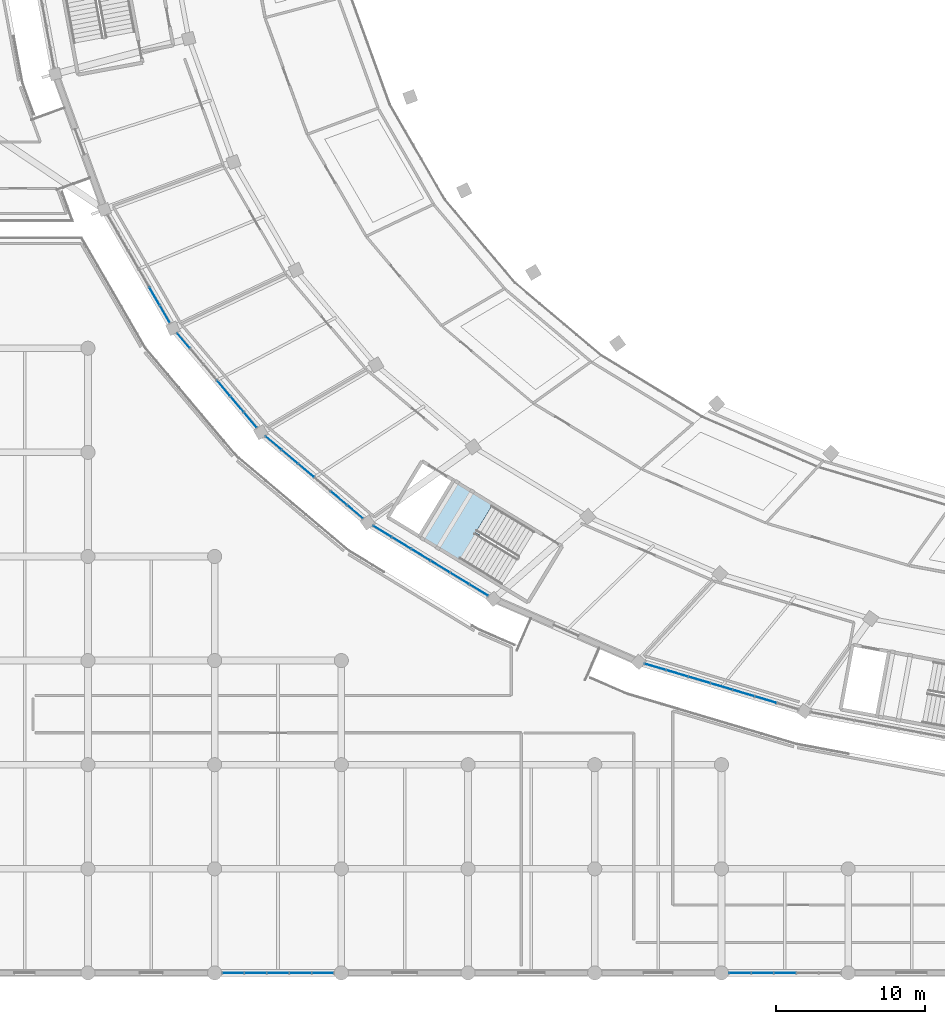
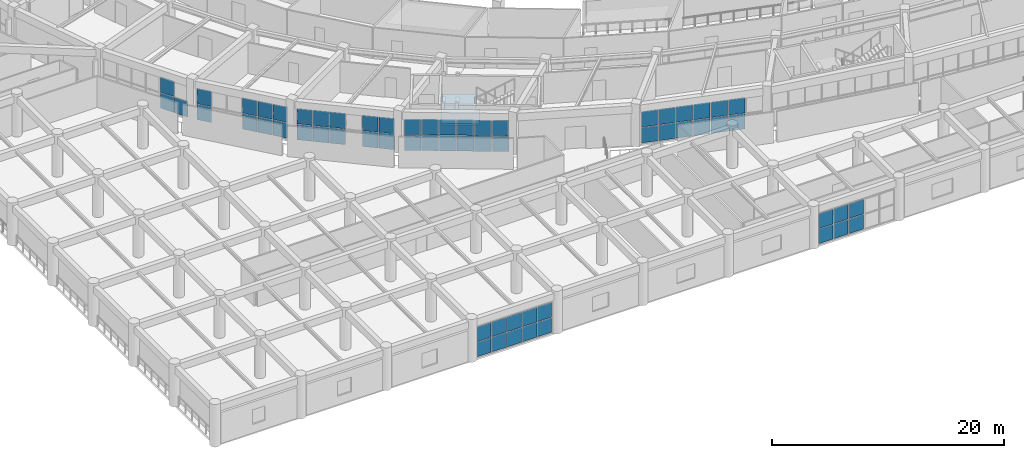
# One storey, part 71 of 141: 61 plates, 1 slab, 8 elements without a shape of their own.
"""IFC4 building model written with IfcOpenShell, lengths in metres."""

from ifc_helpers import new_model, si_unit, direction, frame, origin, origin_2d, place, context, subcontext, project, spatial, polyline, rectangle, outline, extrude, material, layer, layer_set, type_object, element, aggregate, save


model = new_model("IFC4")

# Units and contexts
model_context = context("Model", 3, precision=1e-05, world=origin(), true_north=direction((0.0, 1.0)))
body_context = subcontext(model_context, "Body", "Model", "MODEL_VIEW")
ifc_project = project(units=[si_unit("LENGTHUNIT", "METRE"), si_unit("AREAUNIT", "SQUARE_METRE"), si_unit("VOLUMEUNIT", "CUBIC_METRE"), si_unit("PLANEANGLEUNIT", "RADIAN"), si_unit("MASSUNIT", "GRAM", prefix="KILO")], contexts=[model_context])

# Site, building, storey
site_placement = place(None, origin())
site = spatial("IfcSite", under=ifc_project, at=site_placement, CompositionType="ELEMENT")
building_placement = place(site_placement, origin())
building = spatial("IfcBuilding", under=site, at=building_placement, Name="Mphavela Belvedere Stadium", CompositionType="ELEMENT")
storey_placement = place(building_placement, frame((0.0, 0.0, 14.699951171875)))
storey = spatial("IfcBuildingStorey", under=building, at=storey_placement, Name="L03", CompositionType="ELEMENT", Elevation=14.699951171875)

# Curtain wall, plates
ifc_material_1 = material(Name="Anodised bronze unitised curtain wall framing")
ifc_layer_1 = layer(ifc_material_1, 0.199951171875)
ifc_layer_set_1 = layer_set([ifc_layer_1], Name="Anodised bronze unitised curtain wall framing")
curtain_wall_type_1 = type_object("IfcCurtainWallType", Name="CW-UNIT-05", PredefinedType="USERDEFINED", material=ifc_layer_set_1)
curtain_wall_1_placement = place(storey_placement, origin())
curtain_wall_1 = element("IfcCurtainWall", 1, at=curtain_wall_1_placement, inside=storey, type_object=curtain_wall_type_1, Name="Belvedere colonnade curtain wall L03-28", ObjectType="UNITISED CURTAIN WALL", PredefinedType="USERDEFINED")
ifc_material_2 = material(Name="Solar-control double glazing", Category="glass")
ifc_layer_2 = layer(ifc_material_2, 0.031982421875)
ifc_layer_set_2 = layer_set([ifc_layer_2], Name="Solar-control double glazing")
plate_type = type_object("IfcPlateType", Name="CWP-SOLAR-GLASS", PredefinedType="CURTAIN_PANEL", material=ifc_layer_set_2)
plate_1_placement = place(storey_placement, frame((21.5107421875, 45.49462890625, 0.06005859375), z_axis=(0.0, 0.0, 1.0), x_axis=(0.50055409961, -0.865705257789, 0.0)))
plate_1 = element("IfcPlate", 2, at=plate_1_placement, type_object=plate_type, Name="CW-05 panel 5.1", PredefinedType="CURTAIN_PANEL", context=body_context, shape_type="SweptSolid", body=[
    extrude(rectangle(XDim=1.346923828125, YDim=0.031982421875, at=origin_2d()), origin(), (0.0, 0.0, 1.0), 1.6201171875),
])
plate_2_placement = place(storey_placement, frame((21.5107421875, 45.49462890625, 1.739990234375), z_axis=(0.0, 0.0, 1.0), x_axis=(0.50055409961, -0.865705257789, 0.0)))
plate_2 = element("IfcPlate", 3, at=plate_2_placement, type_object=plate_type, Name="CW-05 panel 5.2", PredefinedType="CURTAIN_PANEL", context=body_context, shape_type="SweptSolid", body=[
    extrude(rectangle(XDim=1.346923828125, YDim=0.031982421875, at=origin_2d()), origin(), (0.0, 0.0, 1.0), 1.6201171875),
])
plate_3_placement = place(storey_placement, frame((22.209228515625, 44.28662109375, 0.06005859375), z_axis=(0.0, 0.0, 1.0), x_axis=(0.50055409961, -0.865705257789, 0.0)))
plate_3 = element("IfcPlate", 4, at=plate_3_placement, type_object=plate_type, Name="CW-05 panel 6.1", PredefinedType="CURTAIN_PANEL", context=body_context, shape_type="SweptSolid", body=[
    extrude(rectangle(XDim=1.314453125, YDim=0.031982421875, at=origin_2d()), origin(), (0.0, 0.0, 1.0), 1.6201171875),
])
aggregate(curtain_wall_1, [plate_1, plate_2, plate_3])

ifc_material_3 = material(Name="Anodised bronze unitised curtain wall framing")
ifc_layer_3 = layer(ifc_material_3, 0.205078125)
ifc_layer_set_3 = layer_set([ifc_layer_3], Name="Anodised bronze unitised curtain wall framing")
curtain_wall_type_2 = type_object("IfcCurtainWallType", Name="CW-UNIT-06", PredefinedType="USERDEFINED", material=ifc_layer_set_3)
curtain_wall_2_placement = place(storey_placement, origin())
curtain_wall_2 = element("IfcCurtainWall", 5, at=curtain_wall_2_placement, inside=storey, type_object=curtain_wall_type_2, Name="Belvedere colonnade curtain wall L03-29", ObjectType="UNITISED CURTAIN WALL", PredefinedType="USERDEFINED")
plate_4_placement = place(storey_placement, frame((23.46044921875, 42.505859375, 0.06005859375), z_axis=(0.0, 0.0, 1.0), x_axis=(0.645179274532, -0.76403121907, 0.0)))
plate_4 = element("IfcPlate", 6, at=plate_4_placement, type_object=plate_type, Name="CW-06 panel 1.1", PredefinedType="CURTAIN_PANEL", context=body_context, shape_type="SweptSolid", body=[
    extrude(rectangle(XDim=1.303466796875, YDim=0.031982421875, at=origin_2d()), origin(), (0.0, 0.0, 1.0), 1.6201171875),
])
plate_5_placement = place(storey_placement, frame((23.46044921875, 42.505859375, 1.739990234375), z_axis=(0.0, 0.0, 1.0), x_axis=(0.645179274532, -0.76403121907, 0.0)))
plate_5 = element("IfcPlate", 7, at=plate_5_placement, type_object=plate_type, Name="CW-06 panel 1.2", PredefinedType="CURTAIN_PANEL", context=body_context, shape_type="SweptSolid", body=[
    extrude(rectangle(XDim=1.303466796875, YDim=0.031982421875, at=origin_2d()), origin(), (0.0, 0.0, 1.0), 1.6201171875),
])
plate_6_placement = place(storey_placement, frame((26.16162109375, 39.307373046875, 0.06005859375), z_axis=(0.0, 0.0, 1.0), x_axis=(0.645179274532, -0.76403121907, 0.0)))
plate_6 = element("IfcPlate", 8, at=plate_6_placement, type_object=plate_type, Name="CW-06 panel 4.1", PredefinedType="CURTAIN_PANEL", context=body_context, shape_type="SweptSolid", body=[
    extrude(rectangle(XDim=1.3359375, YDim=0.031982421875, at=origin_2d()), origin(), (0.0, 0.0, 1.0), 1.6201171875),
])
plate_7_placement = place(storey_placement, frame((26.16162109375, 39.307373046875, 1.739990234375), z_axis=(0.0, 0.0, 1.0), x_axis=(0.645179274532, -0.76403121907, 0.0)))
plate_7 = element("IfcPlate", 9, at=plate_7_placement, type_object=plate_type, Name="CW-06 panel 4.2", PredefinedType="CURTAIN_PANEL", context=body_context, shape_type="SweptSolid", body=[
    extrude(rectangle(XDim=1.3359375, YDim=0.031982421875, at=origin_2d()), origin(), (0.0, 0.0, 1.0), 1.6201171875),
])
plate_8_placement = place(storey_placement, frame((27.0654296875, 38.237060546875, 0.06005859375), z_axis=(0.0, 0.0, 1.0), x_axis=(0.645179274532, -0.76403121907, 0.0)))
plate_8 = element("IfcPlate", 10, at=plate_8_placement, type_object=plate_type, Name="CW-06 panel 5.1", PredefinedType="CURTAIN_PANEL", context=body_context, shape_type="SweptSolid", body=[
    extrude(rectangle(XDim=1.3359375, YDim=0.031982421875, at=origin_2d()), origin(), (0.0, 0.0, 1.0), 1.6201171875),
])
plate_9_placement = place(storey_placement, frame((27.0654296875, 38.237060546875, 1.739990234375), z_axis=(0.0, 0.0, 1.0), x_axis=(0.645179274532, -0.76403121907, 0.0)))
plate_9 = element("IfcPlate", 11, at=plate_9_placement, type_object=plate_type, Name="CW-06 panel 5.2", PredefinedType="CURTAIN_PANEL", context=body_context, shape_type="SweptSolid", body=[
    extrude(rectangle(XDim=1.3359375, YDim=0.031982421875, at=origin_2d()), origin(), (0.0, 0.0, 1.0), 1.6201171875),
])
plate_10_placement = place(storey_placement, frame((27.958740234375, 37.17919921875, 0.06005859375), z_axis=(0.0, 0.0, 1.0), x_axis=(0.645179274532, -0.76403121907, 0.0)))
plate_10 = element("IfcPlate", 12, at=plate_10_placement, type_object=plate_type, Name="CW-06 panel 6.1", PredefinedType="CURTAIN_PANEL", context=body_context, shape_type="SweptSolid", body=[
    extrude(rectangle(XDim=1.303466796875, YDim=0.031982421875, at=origin_2d()), origin(), (0.0, 0.0, 1.0), 1.6201171875),
])
plate_11_placement = place(storey_placement, frame((27.958740234375, 37.17919921875, 1.739990234375), z_axis=(0.0, 0.0, 1.0), x_axis=(0.645179274532, -0.76403121907, 0.0)))
plate_11 = element("IfcPlate", 13, at=plate_11_placement, type_object=plate_type, Name="CW-06 panel 6.2", PredefinedType="CURTAIN_PANEL", context=body_context, shape_type="SweptSolid", body=[
    extrude(rectangle(XDim=1.303466796875, YDim=0.031982421875, at=origin_2d()), origin(), (0.0, 0.0, 1.0), 1.6201171875),
])
aggregate(curtain_wall_2, [plate_4, plate_5, plate_6, plate_7, plate_8, plate_9, plate_10, plate_11])

ifc_material_4 = material(Name="Anodised bronze unitised curtain wall framing")
ifc_layer_4 = layer(ifc_material_4, 0.179931640625)
ifc_layer_set_4 = layer_set([ifc_layer_4], Name="Anodised bronze unitised curtain wall framing")
curtain_wall_type_3 = type_object("IfcCurtainWallType", Name="CW-UNIT-01", PredefinedType="USERDEFINED", material=ifc_layer_set_4)
curtain_wall_3_placement = place(storey_placement, origin())
curtain_wall_3 = element("IfcCurtainWall", 14, at=curtain_wall_3_placement, inside=storey, type_object=curtain_wall_type_3, Name="Belvedere colonnade curtain wall L03-30", ObjectType="UNITISED CURTAIN WALL", PredefinedType="USERDEFINED")
plate_12_placement = place(storey_placement, frame((29.51025390625, 35.63037109375, 0.06005859375), z_axis=(0.0, 0.0, 1.0), x_axis=(0.764262822183, -0.644904906656, 0.0)))
plate_12 = element("IfcPlate", 15, at=plate_12_placement, type_object=plate_type, Name="CW-01 panel 1.1", PredefinedType="CURTAIN_PANEL", context=body_context, shape_type="SweptSolid", body=[
    extrude(rectangle(XDim=1.344482421875, YDim=0.031982421875, at=origin_2d()), origin(), (0.0, 0.0, 1.0), 1.6201171875),
])
plate_13_placement = place(storey_placement, frame((29.51025390625, 35.63037109375, 1.739990234375), z_axis=(0.0, 0.0, 1.0), x_axis=(0.764262822183, -0.644904906656, 0.0)))
plate_13 = element("IfcPlate", 16, at=plate_13_placement, type_object=plate_type, Name="CW-01 panel 1.2", PredefinedType="CURTAIN_PANEL", context=body_context, shape_type="SweptSolid", body=[
    extrude(rectangle(XDim=1.344482421875, YDim=0.031982421875, at=origin_2d()), origin(), (0.0, 0.0, 1.0), 1.6201171875),
])
plate_14_placement = place(storey_placement, frame((30.599853515625, 34.7109375, 0.06005859375), z_axis=(0.0, 0.0, 1.0), x_axis=(0.764262822183, -0.644904906656, 0.0)))
plate_14 = element("IfcPlate", 17, at=plate_14_placement, type_object=plate_type, Name="CW-01 panel 2.1", PredefinedType="CURTAIN_PANEL", context=body_context, shape_type="SweptSolid", body=[
    extrude(rectangle(XDim=1.376953125, YDim=0.031982421875, at=origin_2d()), origin(), (0.0, 0.0, 1.0), 1.6201171875),
])
plate_15_placement = place(storey_placement, frame((30.599853515625, 34.7109375, 1.739990234375), z_axis=(0.0, 0.0, 1.0), x_axis=(0.764262822183, -0.644904906656, 0.0)))
plate_15 = element("IfcPlate", 18, at=plate_15_placement, type_object=plate_type, Name="CW-01 panel 2.2", PredefinedType="CURTAIN_PANEL", context=body_context, shape_type="SweptSolid", body=[
    extrude(rectangle(XDim=1.376953125, YDim=0.031982421875, at=origin_2d()), origin(), (0.0, 0.0, 1.0), 1.6201171875),
])
plate_16_placement = place(storey_placement, frame((31.701904296875, 33.781005859375, 0.06005859375), z_axis=(0.0, 0.0, 1.0), x_axis=(0.764262822183, -0.644904906656, 0.0)))
plate_16 = element("IfcPlate", 19, at=plate_16_placement, type_object=plate_type, Name="CW-01 panel 3.1", PredefinedType="CURTAIN_PANEL", context=body_context, shape_type="SweptSolid", body=[
    extrude(rectangle(XDim=1.376953125, YDim=0.031982421875, at=origin_2d()), origin(), (0.0, 0.0, 1.0), 1.6201171875),
])
plate_17_placement = place(storey_placement, frame((31.701904296875, 33.781005859375, 1.739990234375), z_axis=(0.0, 0.0, 1.0), x_axis=(0.764262822183, -0.644904906656, 0.0)))
plate_17 = element("IfcPlate", 20, at=plate_17_placement, type_object=plate_type, Name="CW-01 panel 3.2", PredefinedType="CURTAIN_PANEL", context=body_context, shape_type="SweptSolid", body=[
    extrude(rectangle(XDim=1.376953125, YDim=0.031982421875, at=origin_2d()), origin(), (0.0, 0.0, 1.0), 1.6201171875),
])
plate_18_placement = place(storey_placement, frame((33.90625, 31.921142578125, 0.06005859375), z_axis=(0.0, 0.0, 1.0), x_axis=(0.764262822183, -0.644904906656, 0.0)))
plate_18 = element("IfcPlate", 21, at=plate_18_placement, type_object=plate_type, Name="CW-01 panel 5.1", PredefinedType="CURTAIN_PANEL", context=body_context, shape_type="SweptSolid", body=[
    extrude(rectangle(XDim=1.376953125, YDim=0.031982421875, at=origin_2d()), origin(), (0.0, 0.0, 1.0), 1.6201171875),
])
plate_19_placement = place(storey_placement, frame((33.90625, 31.921142578125, 1.739990234375), z_axis=(0.0, 0.0, 1.0), x_axis=(0.764262822183, -0.644904906656, 0.0)))
plate_19 = element("IfcPlate", 22, at=plate_19_placement, type_object=plate_type, Name="CW-01 panel 5.2", PredefinedType="CURTAIN_PANEL", context=body_context, shape_type="SweptSolid", body=[
    extrude(rectangle(XDim=1.376953125, YDim=0.031982421875, at=origin_2d()), origin(), (0.0, 0.0, 1.0), 1.6201171875),
])
plate_20_placement = place(storey_placement, frame((34.995849609375, 31.00146484375, 0.06005859375), z_axis=(0.0, 0.0, 1.0), x_axis=(0.764262822183, -0.644904906656, 0.0)))
plate_20 = element("IfcPlate", 23, at=plate_20_placement, type_object=plate_type, Name="CW-01 panel 6.1", PredefinedType="CURTAIN_PANEL", context=body_context, shape_type="SweptSolid", body=[
    extrude(rectangle(XDim=1.344482421875, YDim=0.031982421875, at=origin_2d()), origin(), (0.0, 0.0, 1.0), 1.6201171875),
])
plate_21_placement = place(storey_placement, frame((34.995849609375, 31.00146484375, 1.739990234375), z_axis=(0.0, 0.0, 1.0), x_axis=(0.764262822183, -0.644904906656, 0.0)))
plate_21 = element("IfcPlate", 24, at=plate_21_placement, type_object=plate_type, Name="CW-01 panel 6.2", PredefinedType="CURTAIN_PANEL", context=body_context, shape_type="SweptSolid", body=[
    extrude(rectangle(XDim=1.344482421875, YDim=0.031982421875, at=origin_2d()), origin(), (0.0, 0.0, 1.0), 1.6201171875),
])
aggregate(curtain_wall_3, [plate_12, plate_13, plate_14, plate_15, plate_16, plate_17, plate_18, plate_19, plate_20, plate_21])

ifc_material_5 = material(Name="Anodised bronze unitised curtain wall framing")
ifc_layer_5 = layer(ifc_material_5, 0.18505859375)
ifc_layer_set_5 = layer_set([ifc_layer_5], Name="Anodised bronze unitised curtain wall framing")
curtain_wall_type_4 = type_object("IfcCurtainWallType", Name="CW-UNIT-02", PredefinedType="USERDEFINED", material=ifc_layer_set_5)
curtain_wall_4_placement = place(storey_placement, origin())
curtain_wall_4 = element("IfcCurtainWall", 25, at=curtain_wall_4_placement, inside=storey, type_object=curtain_wall_type_4, Name="Belvedere colonnade curtain wall L03-31", ObjectType="UNITISED CURTAIN WALL", PredefinedType="USERDEFINED")
plate_22_placement = place(storey_placement, frame((36.828857421875, 29.6865234375, 0.06005859375), z_axis=(0.0, 0.0, 1.0), x_axis=(0.8543254975, -0.519738342169, 0.0)))
plate_22 = element("IfcPlate", 26, at=plate_22_placement, type_object=plate_type, Name="CW-02 panel 1.1", PredefinedType="CURTAIN_PANEL", context=body_context, shape_type="SweptSolid", body=[
    extrude(rectangle(XDim=1.428466796875, YDim=0.031982421875, at=origin_2d()), origin(), (0.0, 0.0, 1.0), 1.6201171875),
])
plate_23_placement = place(storey_placement, frame((36.828857421875, 29.6865234375, 1.739990234375), z_axis=(0.0, 0.0, 1.0), x_axis=(0.8543254975, -0.519738342169, 0.0)))
plate_23 = element("IfcPlate", 27, at=plate_23_placement, type_object=plate_type, Name="CW-02 panel 1.2", PredefinedType="CURTAIN_PANEL", context=body_context, shape_type="SweptSolid", body=[
    extrude(rectangle(XDim=1.428466796875, YDim=0.031982421875, at=origin_2d()), origin(), (0.0, 0.0, 1.0), 1.6201171875),
])
plate_24_placement = place(storey_placement, frame((38.11865234375, 28.90185546875, 0.06005859375), z_axis=(0.0, 0.0, 1.0), x_axis=(0.8543254975, -0.519738342169, 0.0)))
plate_24 = element("IfcPlate", 28, at=plate_24_placement, type_object=plate_type, Name="CW-02 panel 2.1", PredefinedType="CURTAIN_PANEL", context=body_context, shape_type="SweptSolid", body=[
    extrude(rectangle(XDim=1.4609375, YDim=0.031982421875, at=origin_2d()), origin(), (0.0, 0.0, 1.0), 1.6201171875),
])
plate_25_placement = place(storey_placement, frame((38.11865234375, 28.90185546875, 1.739990234375), z_axis=(0.0, 0.0, 1.0), x_axis=(0.8543254975, -0.519738342169, 0.0)))
plate_25 = element("IfcPlate", 29, at=plate_25_placement, type_object=plate_type, Name="CW-02 panel 2.2", PredefinedType="CURTAIN_PANEL", context=body_context, shape_type="SweptSolid", body=[
    extrude(rectangle(XDim=1.4609375, YDim=0.031982421875, at=origin_2d()), origin(), (0.0, 0.0, 1.0), 1.6201171875),
])
plate_26_placement = place(storey_placement, frame((39.42236328125, 28.10888671875, 0.06005859375), z_axis=(0.0, 0.0, 1.0), x_axis=(0.8543254975, -0.519738342169, 0.0)))
plate_26 = element("IfcPlate", 30, at=plate_26_placement, type_object=plate_type, Name="CW-02 panel 3.1", PredefinedType="CURTAIN_PANEL", context=body_context, shape_type="SweptSolid", body=[
    extrude(rectangle(XDim=1.4609375, YDim=0.031982421875, at=origin_2d()), origin(), (0.0, 0.0, 1.0), 1.6201171875),
])
plate_27_placement = place(storey_placement, frame((39.42236328125, 28.10888671875, 1.739990234375), z_axis=(0.0, 0.0, 1.0), x_axis=(0.8543254975, -0.519738342169, 0.0)))
plate_27 = element("IfcPlate", 31, at=plate_27_placement, type_object=plate_type, Name="CW-02 panel 3.2", PredefinedType="CURTAIN_PANEL", context=body_context, shape_type="SweptSolid", body=[
    extrude(rectangle(XDim=1.4609375, YDim=0.031982421875, at=origin_2d()), origin(), (0.0, 0.0, 1.0), 1.6201171875),
])
plate_28_placement = place(storey_placement, frame((40.725830078125, 27.315673828125, 0.06005859375), z_axis=(0.0, 0.0, 1.0), x_axis=(0.8543254975, -0.519738342169, 0.0)))
plate_28 = element("IfcPlate", 32, at=plate_28_placement, type_object=plate_type, Name="CW-02 panel 4.1", PredefinedType="CURTAIN_PANEL", context=body_context, shape_type="SweptSolid", body=[
    extrude(rectangle(XDim=1.4609375, YDim=0.031982421875, at=origin_2d()), origin(), (0.0, 0.0, 1.0), 1.6201171875),
])
plate_29_placement = place(storey_placement, frame((40.725830078125, 27.315673828125, 1.739990234375), z_axis=(0.0, 0.0, 1.0), x_axis=(0.8543254975, -0.519738342169, 0.0)))
plate_29 = element("IfcPlate", 33, at=plate_29_placement, type_object=plate_type, Name="CW-02 panel 4.2", PredefinedType="CURTAIN_PANEL", context=body_context, shape_type="SweptSolid", body=[
    extrude(rectangle(XDim=1.4609375, YDim=0.031982421875, at=origin_2d()), origin(), (0.0, 0.0, 1.0), 1.6201171875),
])
plate_30_placement = place(storey_placement, frame((42.029541015625, 26.522705078125, 0.06005859375), z_axis=(0.0, 0.0, 1.0), x_axis=(0.8543254975, -0.519738342169, 0.0)))
plate_30 = element("IfcPlate", 34, at=plate_30_placement, type_object=plate_type, Name="CW-02 panel 5.1", PredefinedType="CURTAIN_PANEL", context=body_context, shape_type="SweptSolid", body=[
    extrude(rectangle(XDim=1.4609375, YDim=0.031982421875, at=origin_2d()), origin(), (0.0, 0.0, 1.0), 1.6201171875),
])
plate_31_placement = place(storey_placement, frame((42.029541015625, 26.522705078125, 1.739990234375), z_axis=(0.0, 0.0, 1.0), x_axis=(0.8543254975, -0.519738342169, 0.0)))
plate_31 = element("IfcPlate", 35, at=plate_31_placement, type_object=plate_type, Name="CW-02 panel 5.2", PredefinedType="CURTAIN_PANEL", context=body_context, shape_type="SweptSolid", body=[
    extrude(rectangle(XDim=1.4609375, YDim=0.031982421875, at=origin_2d()), origin(), (0.0, 0.0, 1.0), 1.6201171875),
])
plate_32_placement = place(storey_placement, frame((43.3193359375, 25.738037109375, 0.06005859375), z_axis=(0.0, 0.0, 1.0), x_axis=(0.8543254975, -0.519738342169, 0.0)))
plate_32 = element("IfcPlate", 36, at=plate_32_placement, type_object=plate_type, Name="CW-02 panel 6.1", PredefinedType="CURTAIN_PANEL", context=body_context, shape_type="SweptSolid", body=[
    extrude(rectangle(XDim=1.428466796875, YDim=0.031982421875, at=origin_2d()), origin(), (0.0, 0.0, 1.0), 1.6201171875),
])
plate_33_placement = place(storey_placement, frame((43.3193359375, 25.738037109375, 1.739990234375), z_axis=(0.0, 0.0, 1.0), x_axis=(0.8543254975, -0.519738342169, 0.0)))
plate_33 = element("IfcPlate", 37, at=plate_33_placement, type_object=plate_type, Name="CW-02 panel 6.2", PredefinedType="CURTAIN_PANEL", context=body_context, shape_type="SweptSolid", body=[
    extrude(rectangle(XDim=1.428466796875, YDim=0.031982421875, at=origin_2d()), origin(), (0.0, 0.0, 1.0), 1.6201171875),
])
aggregate(curtain_wall_4, [plate_22, plate_23, plate_24, plate_25, plate_26, plate_27, plate_28, plate_29, plate_30, plate_31, plate_32, plate_33])

ifc_material_6 = material(Name="Anodised bronze unitised curtain wall framing")
ifc_layer_6 = layer(ifc_material_6, 0.18994140625)
ifc_layer_set_6 = layer_set([ifc_layer_6], Name="Anodised bronze unitised curtain wall framing")
curtain_wall_type_5 = type_object("IfcCurtainWallType", Name="CW-UNIT-03", PredefinedType="USERDEFINED", material=ifc_layer_set_6)
curtain_wall_5_placement = place(storey_placement, origin())
curtain_wall_5 = element("IfcCurtainWall", 38, at=curtain_wall_5_placement, inside=storey, type_object=curtain_wall_type_5, Name="Belvedere colonnade curtain wall L03-33", ObjectType="UNITISED CURTAIN WALL", PredefinedType="USERDEFINED")
plate_34_placement = place(storey_placement, frame((55.179931640625, 20.576904296875, 0.06005859375), z_axis=(0.0, 0.0, 1.0), x_axis=(0.958656747975, -0.284565000591, 0.0)))
plate_34 = element("IfcPlate", 39, at=plate_34_placement, type_object=plate_type, Name="CW-03 panel 1.1", PredefinedType="CURTAIN_PANEL", context=body_context, shape_type="SweptSolid", body=[
    extrude(rectangle(XDim=1.45556640625, YDim=0.031982421875, at=origin_2d()), origin(), (0.0, 0.0, 1.0), 1.6201171875),
])
plate_35_placement = place(storey_placement, frame((55.179931640625, 20.576904296875, 1.739990234375), z_axis=(0.0, 0.0, 1.0), x_axis=(0.958656747975, -0.284565000591, 0.0)))
plate_35 = element("IfcPlate", 40, at=plate_35_placement, type_object=plate_type, Name="CW-03 panel 1.2", PredefinedType="CURTAIN_PANEL", context=body_context, shape_type="SweptSolid", body=[
    extrude(rectangle(XDim=1.45556640625, YDim=0.031982421875, at=origin_2d()), origin(), (0.0, 0.0, 1.0), 1.6201171875),
])
plate_36_placement = place(storey_placement, frame((56.653076171875, 20.1396484375, 0.06005859375), z_axis=(0.0, 0.0, 1.0), x_axis=(0.958656747975, -0.284565000591, 0.0)))
plate_36 = element("IfcPlate", 41, at=plate_36_placement, type_object=plate_type, Name="CW-03 panel 2.1", PredefinedType="CURTAIN_PANEL", context=body_context, shape_type="SweptSolid", body=[
    extrude(rectangle(XDim=1.488037109375, YDim=0.031982421875, at=origin_2d()), origin(), (0.0, 0.0, 1.0), 1.6201171875),
])
plate_37_placement = place(storey_placement, frame((56.653076171875, 20.1396484375, 1.739990234375), z_axis=(0.0, 0.0, 1.0), x_axis=(0.958656747975, -0.284565000591, 0.0)))
plate_37 = element("IfcPlate", 42, at=plate_37_placement, type_object=plate_type, Name="CW-03 panel 2.2", PredefinedType="CURTAIN_PANEL", context=body_context, shape_type="SweptSolid", body=[
    extrude(rectangle(XDim=1.488037109375, YDim=0.031982421875, at=origin_2d()), origin(), (0.0, 0.0, 1.0), 1.6201171875),
])
plate_38_placement = place(storey_placement, frame((58.141845703125, 19.69775390625, 0.06005859375), z_axis=(0.0, 0.0, 1.0), x_axis=(0.958656747975, -0.284565000591, 0.0)))
plate_38 = element("IfcPlate", 43, at=plate_38_placement, type_object=plate_type, Name="CW-03 panel 3.1", PredefinedType="CURTAIN_PANEL", context=body_context, shape_type="SweptSolid", body=[
    extrude(rectangle(XDim=1.488037109375, YDim=0.031982421875, at=origin_2d()), origin(), (0.0, 0.0, 1.0), 1.6201171875),
])
plate_39_placement = place(storey_placement, frame((58.141845703125, 19.69775390625, 1.739990234375), z_axis=(0.0, 0.0, 1.0), x_axis=(0.958656747975, -0.284565000591, 0.0)))
plate_39 = element("IfcPlate", 44, at=plate_39_placement, type_object=plate_type, Name="CW-03 panel 3.2", PredefinedType="CURTAIN_PANEL", context=body_context, shape_type="SweptSolid", body=[
    extrude(rectangle(XDim=1.488037109375, YDim=0.031982421875, at=origin_2d()), origin(), (0.0, 0.0, 1.0), 1.6201171875),
])
plate_40_placement = place(storey_placement, frame((59.630615234375, 19.255859375, 0.06005859375), z_axis=(0.0, 0.0, 1.0), x_axis=(0.958656747975, -0.284565000591, 0.0)))
plate_40 = element("IfcPlate", 45, at=plate_40_placement, type_object=plate_type, Name="CW-03 panel 4.1", PredefinedType="CURTAIN_PANEL", context=body_context, shape_type="SweptSolid", body=[
    extrude(rectangle(XDim=1.488037109375, YDim=0.031982421875, at=origin_2d()), origin(), (0.0, 0.0, 1.0), 1.6201171875),
])
plate_41_placement = place(storey_placement, frame((59.630615234375, 19.255859375, 1.739990234375), z_axis=(0.0, 0.0, 1.0), x_axis=(0.958656747975, -0.284565000591, 0.0)))
plate_41 = element("IfcPlate", 46, at=plate_41_placement, type_object=plate_type, Name="CW-03 panel 4.2", PredefinedType="CURTAIN_PANEL", context=body_context, shape_type="SweptSolid", body=[
    extrude(rectangle(XDim=1.488037109375, YDim=0.031982421875, at=origin_2d()), origin(), (0.0, 0.0, 1.0), 1.6201171875),
])
plate_42_placement = place(storey_placement, frame((61.119384765625, 18.81396484375, 0.06005859375), z_axis=(0.0, 0.0, 1.0), x_axis=(0.958656747975, -0.284565000591, 0.0)))
plate_42 = element("IfcPlate", 47, at=plate_42_placement, type_object=plate_type, Name="CW-03 panel 5.1", PredefinedType="CURTAIN_PANEL", context=body_context, shape_type="SweptSolid", body=[
    extrude(rectangle(XDim=1.488037109375, YDim=0.031982421875, at=origin_2d()), origin(), (0.0, 0.0, 1.0), 1.6201171875),
])
plate_43_placement = place(storey_placement, frame((61.119384765625, 18.81396484375, 1.739990234375), z_axis=(0.0, 0.0, 1.0), x_axis=(0.958656747975, -0.284565000591, 0.0)))
plate_43 = element("IfcPlate", 48, at=plate_43_placement, type_object=plate_type, Name="CW-03 panel 5.2", PredefinedType="CURTAIN_PANEL", context=body_context, shape_type="SweptSolid", body=[
    extrude(rectangle(XDim=1.488037109375, YDim=0.031982421875, at=origin_2d()), origin(), (0.0, 0.0, 1.0), 1.6201171875),
])
plate_44_placement = place(storey_placement, frame((62.608154296875, 18.3720703125, 0.06005859375), z_axis=(0.0, 0.0, 1.0), x_axis=(0.958656747975, -0.284565000591, 0.0)))
plate_44 = element("IfcPlate", 49, at=plate_44_placement, type_object=plate_type, Name="CW-03 panel 6.1", PredefinedType="CURTAIN_PANEL", context=body_context, shape_type="SweptSolid", body=[
    extrude(rectangle(XDim=1.488037109375, YDim=0.031982421875, at=origin_2d()), origin(), (0.0, 0.0, 1.0), 1.6201171875),
])
plate_45_placement = place(storey_placement, frame((62.608154296875, 18.3720703125, 1.739990234375), z_axis=(0.0, 0.0, 1.0), x_axis=(0.958656747975, -0.284565000591, 0.0)))
plate_45 = element("IfcPlate", 50, at=plate_45_placement, type_object=plate_type, Name="CW-03 panel 6.2", PredefinedType="CURTAIN_PANEL", context=body_context, shape_type="SweptSolid", body=[
    extrude(rectangle(XDim=1.488037109375, YDim=0.031982421875, at=origin_2d()), origin(), (0.0, 0.0, 1.0), 1.6201171875),
])
aggregate(curtain_wall_5, [plate_34, plate_35, plate_36, plate_37, plate_38, plate_39, plate_40, plate_41, plate_42, plate_43, plate_44, plate_45])

curtain_wall_6_placement = place(storey_placement, origin())
curtain_wall_6 = element("IfcCurtainWall", 51, at=curtain_wall_6_placement, inside=storey, type_object=curtain_wall_type_1, Name="South Axial Triumphal Peristyle Portico gallery curtain wall L03-04", ObjectType="UNITISED CURTAIN WALL", PredefinedType="USERDEFINED")
plate_46_placement = place(storey_placement, frame((32.82763671875, 0.0, 0.06005859375), z_axis=(0.0, 0.0, 1.0), x_axis=(-1.0, 0.0, 0.0)))
plate_46 = element("IfcPlate", 52, at=plate_46_placement, type_object=plate_type, Name="CW-05 panel 1.1", PredefinedType="CURTAIN_PANEL", context=body_context, shape_type="SweptSolid", body=[
    extrude(rectangle(XDim=1.4169921875, YDim=0.031982421875, at=origin_2d()), origin(), (0.0, 0.0, 1.0), 1.5400390625),
])
plate_47_placement = place(storey_placement, frame((32.82763671875, 0.0, 1.659912109375), z_axis=(0.0, 0.0, 1.0), x_axis=(-1.0, 0.0, 0.0)))
plate_47 = element("IfcPlate", 53, at=plate_47_placement, type_object=plate_type, Name="CW-05 panel 1.2", PredefinedType="CURTAIN_PANEL", context=body_context, shape_type="SweptSolid", body=[
    extrude(rectangle(XDim=1.4169921875, YDim=0.031982421875, at=origin_2d()), origin(), (0.0, 0.0, 1.0), 1.5400390625),
])
plate_48_placement = place(storey_placement, frame((31.329345703125, 0.0, 0.06005859375), z_axis=(0.0, 0.0, 1.0), x_axis=(-1.0, 0.0, 0.0)))
plate_48 = element("IfcPlate", 54, at=plate_48_placement, type_object=plate_type, Name="CW-05 panel 2.1", PredefinedType="CURTAIN_PANEL", context=body_context, shape_type="SweptSolid", body=[
    extrude(rectangle(XDim=1.449462890625, YDim=0.031982421875, at=origin_2d()), origin(), (0.0, 0.0, 1.0), 1.5400390625),
])
plate_49_placement = place(storey_placement, frame((31.329345703125, 0.0, 1.659912109375), z_axis=(0.0, 0.0, 1.0), x_axis=(-1.0, 0.0, 0.0)))
plate_49 = element("IfcPlate", 55, at=plate_49_placement, type_object=plate_type, Name="CW-05 panel 2.2", PredefinedType="CURTAIN_PANEL", context=body_context, shape_type="SweptSolid", body=[
    extrude(rectangle(XDim=1.449462890625, YDim=0.031982421875, at=origin_2d()), origin(), (0.0, 0.0, 1.0), 1.5400390625),
])
plate_50_placement = place(storey_placement, frame((29.81494140625, 0.0, 0.06005859375), z_axis=(0.0, 0.0, 1.0), x_axis=(-1.0, 0.0, 0.0)))
plate_50 = element("IfcPlate", 56, at=plate_50_placement, type_object=plate_type, Name="CW-05 panel 3.1", PredefinedType="CURTAIN_PANEL", context=body_context, shape_type="SweptSolid", body=[
    extrude(rectangle(XDim=1.449462890625, YDim=0.031982421875, at=origin_2d()), origin(), (0.0, 0.0, 1.0), 1.5400390625),
])
plate_51_placement = place(storey_placement, frame((29.81494140625, 0.0, 1.659912109375), z_axis=(0.0, 0.0, 1.0), x_axis=(-1.0, 0.0, 0.0)))
plate_51 = element("IfcPlate", 57, at=plate_51_placement, type_object=plate_type, Name="CW-05 panel 3.2", PredefinedType="CURTAIN_PANEL", context=body_context, shape_type="SweptSolid", body=[
    extrude(rectangle(XDim=1.449462890625, YDim=0.031982421875, at=origin_2d()), origin(), (0.0, 0.0, 1.0), 1.5400390625),
])
plate_52_placement = place(storey_placement, frame((28.300537109375, 0.0, 0.06005859375), z_axis=(0.0, 0.0, 1.0), x_axis=(-1.0, 0.0, 0.0)))
plate_52 = element("IfcPlate", 58, at=plate_52_placement, type_object=plate_type, Name="CW-05 panel 4.1", PredefinedType="CURTAIN_PANEL", context=body_context, shape_type="SweptSolid", body=[
    extrude(rectangle(XDim=1.449462890625, YDim=0.031982421875, at=origin_2d()), origin(), (0.0, 0.0, 1.0), 1.5400390625),
])
plate_53_placement = place(storey_placement, frame((28.300537109375, 0.0, 1.659912109375), z_axis=(0.0, 0.0, 1.0), x_axis=(-1.0, 0.0, 0.0)))
plate_53 = element("IfcPlate", 59, at=plate_53_placement, type_object=plate_type, Name="CW-05 panel 4.2", PredefinedType="CURTAIN_PANEL", context=body_context, shape_type="SweptSolid", body=[
    extrude(rectangle(XDim=1.449462890625, YDim=0.031982421875, at=origin_2d()), origin(), (0.0, 0.0, 1.0), 1.5400390625),
])
plate_54_placement = place(storey_placement, frame((26.802490234375, 0.0, 0.06005859375), z_axis=(0.0, 0.0, 1.0), x_axis=(-1.0, 0.0, 0.0)))
plate_54 = element("IfcPlate", 60, at=plate_54_placement, type_object=plate_type, Name="CW-05 panel 5.1", PredefinedType="CURTAIN_PANEL", context=body_context, shape_type="SweptSolid", body=[
    extrude(rectangle(XDim=1.4169921875, YDim=0.031982421875, at=origin_2d()), origin(), (0.0, 0.0, 1.0), 1.5400390625),
])
plate_55_placement = place(storey_placement, frame((26.802490234375, 0.0, 1.659912109375), z_axis=(0.0, 0.0, 1.0), x_axis=(-1.0, 0.0, 0.0)))
plate_55 = element("IfcPlate", 61, at=plate_55_placement, type_object=plate_type, Name="CW-05 panel 5.2", PredefinedType="CURTAIN_PANEL", context=body_context, shape_type="SweptSolid", body=[
    extrude(rectangle(XDim=1.4169921875, YDim=0.031982421875, at=origin_2d()), origin(), (0.0, 0.0, 1.0), 1.5400390625),
])
aggregate(curtain_wall_6, [plate_46, plate_47, plate_48, plate_49, plate_50, plate_51, plate_52, plate_53, plate_54, plate_55])

curtain_wall_7_placement = place(storey_placement, origin())
curtain_wall_7 = element("IfcCurtainWall", 62, at=curtain_wall_7_placement, inside=storey, type_object=curtain_wall_type_2, Name="South Axial Triumphal Peristyle Portico gallery curtain wall L03-08", ObjectType="UNITISED CURTAIN WALL", PredefinedType="USERDEFINED")
plate_56_placement = place(storey_placement, frame((63.888916015625, 0.0, 0.06005859375), z_axis=(0.0, 0.0, 1.0), x_axis=(-1.0, 0.0, 0.0)))
plate_56 = element("IfcPlate", 63, at=plate_56_placement, type_object=plate_type, Name="CW-06 panel 3.1", PredefinedType="CURTAIN_PANEL", context=body_context, shape_type="SweptSolid", body=[
    extrude(rectangle(XDim=1.449462890625, YDim=0.031982421875, at=origin_2d()), origin(), (0.0, 0.0, 1.0), 1.5400390625),
])
plate_57_placement = place(storey_placement, frame((63.888916015625, 0.0, 1.659912109375), z_axis=(0.0, 0.0, 1.0), x_axis=(-1.0, 0.0, 0.0)))
plate_57 = element("IfcPlate", 64, at=plate_57_placement, type_object=plate_type, Name="CW-06 panel 3.2", PredefinedType="CURTAIN_PANEL", context=body_context, shape_type="SweptSolid", body=[
    extrude(rectangle(XDim=1.449462890625, YDim=0.031982421875, at=origin_2d()), origin(), (0.0, 0.0, 1.0), 1.5400390625),
])
plate_58_placement = place(storey_placement, frame((62.37451171875, 0.0, 0.06005859375), z_axis=(0.0, 0.0, 1.0), x_axis=(-1.0, 0.0, 0.0)))
plate_58 = element("IfcPlate", 65, at=plate_58_placement, type_object=plate_type, Name="CW-06 panel 4.1", PredefinedType="CURTAIN_PANEL", context=body_context, shape_type="SweptSolid", body=[
    extrude(rectangle(XDim=1.449462890625, YDim=0.031982421875, at=origin_2d()), origin(), (0.0, 0.0, 1.0), 1.5400390625),
])
plate_59_placement = place(storey_placement, frame((62.37451171875, 0.0, 1.659912109375), z_axis=(0.0, 0.0, 1.0), x_axis=(-1.0, 0.0, 0.0)))
plate_59 = element("IfcPlate", 66, at=plate_59_placement, type_object=plate_type, Name="CW-06 panel 4.2", PredefinedType="CURTAIN_PANEL", context=body_context, shape_type="SweptSolid", body=[
    extrude(rectangle(XDim=1.449462890625, YDim=0.031982421875, at=origin_2d()), origin(), (0.0, 0.0, 1.0), 1.5400390625),
])
plate_60_placement = place(storey_placement, frame((60.87646484375, 0.0, 0.06005859375), z_axis=(0.0, 0.0, 1.0), x_axis=(-1.0, 0.0, 0.0)))
plate_60 = element("IfcPlate", 67, at=plate_60_placement, type_object=plate_type, Name="CW-06 panel 5.1", PredefinedType="CURTAIN_PANEL", context=body_context, shape_type="SweptSolid", body=[
    extrude(rectangle(XDim=1.4169921875, YDim=0.031982421875, at=origin_2d()), origin(), (0.0, 0.0, 1.0), 1.5400390625),
])
plate_61_placement = place(storey_placement, frame((60.87646484375, 0.0, 1.659912109375), z_axis=(0.0, 0.0, 1.0), x_axis=(-1.0, 0.0, 0.0)))
plate_61 = element("IfcPlate", 68, at=plate_61_placement, type_object=plate_type, Name="CW-06 panel 5.2", PredefinedType="CURTAIN_PANEL", context=body_context, shape_type="SweptSolid", body=[
    extrude(rectangle(XDim=1.4169921875, YDim=0.031982421875, at=origin_2d()), origin(), (0.0, 0.0, 1.0), 1.5400390625),
])
aggregate(curtain_wall_7, [plate_56, plate_57, plate_58, plate_59, plate_60, plate_61])

# Stair, slab
ifc_material_7 = material(Name="Concrete C40/50", Category="concrete")
stair_type = type_object("IfcStairType", Name="STR-HALF-TURN-1", PredefinedType="HALF_TURN_STAIR", material=ifc_material_7)
stair_placement = place(storey_placement, origin())
stair = element("IfcStair", 69, at=stair_placement, inside=storey, type_object=stair_type, Name="L03 Escape stair core C10", PredefinedType="HALF_TURN_STAIR")
ifc_material_8 = material(Name="Concrete C40/50", Category="concrete")
ifc_layer_7 = layer(ifc_material_8, 0.199951171875)
ifc_layer_set_7 = layer_set([ifc_layer_7], Name="Concrete C40/50")
slab_type = type_object("IfcSlabType", Name="SLB-LANDING-200", PredefinedType="LANDING", material=ifc_layer_set_7)
slab_placement = place(storey_placement, frame((0.0, 0.0, 2.050048828125)))
slab = element("IfcSlab", 70, at=slab_placement, type_object=slab_type, Name="ST-C10 landing 1", PredefinedType="LANDING", context=body_context, shape_type="SweptSolid", body=[
    extrude(outline(polyline([(44.263916015625, 31.515869140625), (41.71533203125, 33.06591796875), (39.4130859375, 29.281005859375), (42.26513671875, 27.54638671875), (43.416015625, 29.43896484375), (43.11279296875, 29.623291015625), (44.263916015625, 31.515869140625)])), origin(), (0.0, 0.0, 1.0), 0.199951171875),
])
aggregate(stair, [slab])

save(model, "model.ifc")
